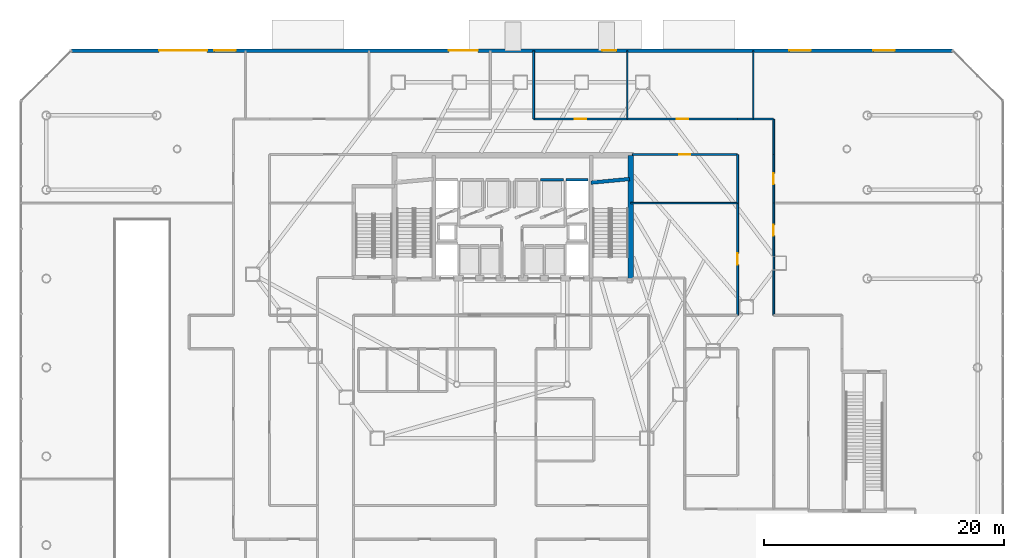
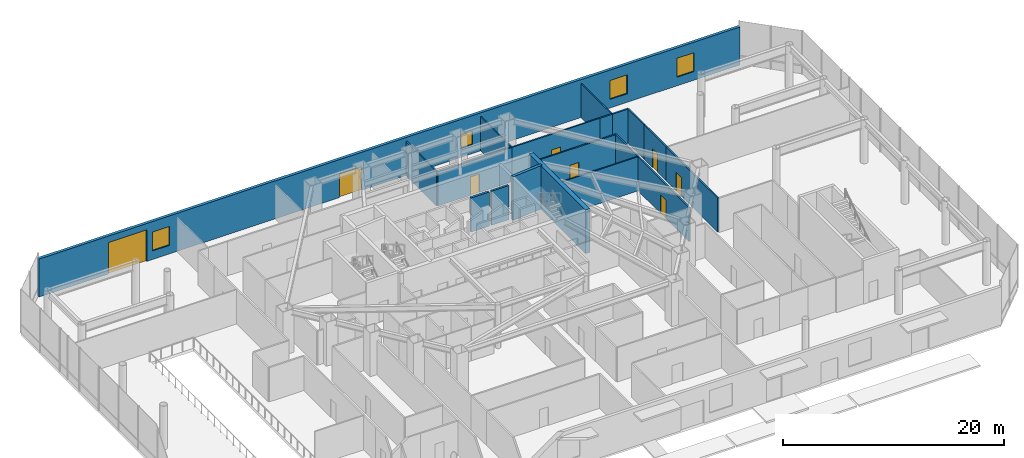
# One storey, part 26 of 31: 19 walls, 8 doors, 4 windows, 12 openings.
"""IFC4 building model written with IfcOpenShell, lengths in metres."""

from ifc_helpers import new_model, si_unit, direction, frame, frame_2d, origin, place, context, subcontext, project, spatial, rectangle, extrude, material, layer, layer_set, type_object, element, fill, save


model = new_model("IFC4")

# Units and contexts
model_context = context("Model", 3, precision=1e-05, world=origin(), true_north=direction((0.0, 1.0)))
body_context = subcontext(model_context, "Body", "Model", "MODEL_VIEW")
ifc_project = project(units=[si_unit("LENGTHUNIT", "METRE"), si_unit("AREAUNIT", "SQUARE_METRE"), si_unit("VOLUMEUNIT", "CUBIC_METRE"), si_unit("PLANEANGLEUNIT", "RADIAN"), si_unit("MASSUNIT", "GRAM", prefix="KILO")], contexts=[model_context])

# Site, building, storey
site_placement = place(None, origin())
site = spatial("IfcSite", under=ifc_project, at=site_placement, CompositionType="ELEMENT")
building_placement = place(site_placement, origin())
building = spatial("IfcBuilding", under=site, at=building_placement, Name="Zarrinselat Tower", CompositionType="ELEMENT")
storey_placement = place(building_placement, origin())
storey = spatial("IfcBuildingStorey", under=building, at=storey_placement, Name="L00", CompositionType="ELEMENT", Elevation=0.0)

# Wall, openings, doors, windows
ifc_material_1 = material(Name="Honed Cream Travertine Stone", Category="masonry")
ifc_layer_1 = layer(ifc_material_1, 0.300048828125)
ifc_layer_set_1 = layer_set([ifc_layer_1], Name="Honed Cream Travertine Stone")
wall_type_1 = type_object("IfcWallType", Name="WAL-EXT-STONE-300", PredefinedType="STANDARD", material=ifc_layer_set_1)
wall_1_placement = place(storey_placement, frame((1.699951171875, 52.199951171875, 0.0), z_axis=(0.0, 0.0, 1.0), x_axis=(1.0, 0.0, 0.0)))
wall_1 = element("IfcWall", 1, at=wall_1_placement, inside=storey, type_object=wall_type_1, Name="L00 North Travertine Facade Wall", PredefinedType="STANDARD", context=body_context, shape_type="SweptSolid", body=[
    extrude(rectangle(XDim=73.400146484375, YDim=0.300048828125, at=frame_2d((36.7001953125, 0.0))), origin(), (0.0, 0.0, 1.0), 4.205078125),
])
opening_1_placement = place(wall_1_placement, frame((7.300048828125, 0.0, 0.0)))
opening_1 = element("IfcOpeningElement", 2, at=opening_1_placement, cuts=wall_1, Name="Opening VG-02", PredefinedType="OPENING", context=body_context, shape_type="SweptSolid", body=[
    extrude(rectangle(XDim=4.0, YDim=3.5, at=frame_2d((2.0, 1.75))), frame((0.0, 0.159912109375, 0.0), z_axis=(0.0, -1.0, 0.0), x_axis=(1.0, 0.0, 0.0)), (0.0, 0.0, 1.0), 0.320068359375),
])
opening_2_placement = place(wall_1_placement, frame((31.449951171875, 0.0, 0.0)))
opening_2 = element("IfcOpeningElement", 3, at=opening_2_placement, cuts=wall_1, Name="Opening ED-01", PredefinedType="OPENING", context=body_context, shape_type="SweptSolid", body=[
    extrude(rectangle(XDim=2.39990234375, YDim=2.60009765625, at=frame_2d((1.199951171875, 1.300048828125))), frame((0.0, 0.159912109375, 0.0), z_axis=(0.0, -1.0, 0.0), x_axis=(1.0, 0.0, 0.0)), (0.0, 0.0, 1.0), 0.320068359375),
])
opening_3_placement = place(wall_1_placement, frame((44.199951171875, 0.0, 1.0)))
opening_3 = element("IfcOpeningElement", 4, at=opening_3_placement, cuts=wall_1, Name="Opening WN-6", PredefinedType="OPENING", context=body_context, shape_type="SweptSolid", body=[
    extrude(rectangle(XDim=1.199951171875, YDim=1.5, at=frame_2d((0.60009765625, 0.75))), frame((0.0, 0.159912109375, 0.0), z_axis=(0.0, -1.0, 0.0), x_axis=(1.0, 0.0, 0.0)), (0.0, 0.0, 1.0), 0.320068359375),
])
opening_4_placement = place(wall_1_placement, frame((11.89990234375, 0.0, 0.949951171875)))
opening_4 = element("IfcOpeningElement", 5, at=opening_4_placement, cuts=wall_1, Name="Opening WN-2", PredefinedType="OPENING", context=body_context, shape_type="SweptSolid", body=[
    extrude(rectangle(XDim=1.800048828125, YDim=2.10009765625, at=frame_2d((0.89990234375, 1.050048828125))), frame((0.0, 0.159912109375, 0.0), z_axis=(0.0, -1.0, 0.0), x_axis=(1.0, 0.0, 0.0)), (0.0, 0.0, 1.0), 0.320068359375),
])
opening_5_placement = place(wall_1_placement, frame((59.800048828125, 0.0, 0.949951171875)))
opening_5 = element("IfcOpeningElement", 6, at=opening_5_placement, cuts=wall_1, Name="Opening WN-2", PredefinedType="OPENING", context=body_context, shape_type="SweptSolid", body=[
    extrude(rectangle(XDim=1.800048828125, YDim=2.10009765625, at=frame_2d((0.89990234375, 1.050048828125))), frame((0.0, 0.159912109375, 0.0), z_axis=(0.0, -1.0, 0.0), x_axis=(1.0, 0.0, 0.0)), (0.0, 0.0, 1.0), 0.320068359375),
])
opening_6_placement = place(wall_1_placement, frame((66.800048828125, 0.0, 0.949951171875)))
opening_6 = element("IfcOpeningElement", 7, at=opening_6_placement, cuts=wall_1, Name="Opening WN-2", PredefinedType="OPENING", context=body_context, shape_type="SweptSolid", body=[
    extrude(rectangle(XDim=1.800048828125, YDim=2.10009765625, at=frame_2d((0.89990234375, 1.050048828125))), frame((0.0, 0.159912109375, 0.0), z_axis=(0.0, -1.0, 0.0), x_axis=(1.0, 0.0, 0.0)), (0.0, 0.0, 1.0), 0.320068359375),
])
ifc_material_2 = material(Name="Double Low-E Laminated Solar Glass", Category="glass")
door_type_1 = type_object("IfcDoorType", Name="DR-EXT-MAIN-2400", OperationType="NOTDEFINED", PredefinedType="DOOR", material=ifc_material_2)
door_1_placement = place(opening_2_placement, origin())
door_1 = element("IfcDoor", 8, at=door_1_placement, inside=storey, type_object=door_type_1, Name="North Concourse Entrance Door", OperationType="DOUBLE_DOOR_SINGLE_SWING", OverallHeight=2.60009765625, OverallWidth=2.39990234375, PredefinedType="DOOR", context=body_context, shape_type="SweptSolid", body=[
    extrude(rectangle(XDim=2.39990234375, YDim=2.60009765625, at=frame_2d((1.199951171875, 1.300048828125))), frame((0.0, 0.02490234375, 0.0), z_axis=(0.0, -1.0, 0.0), x_axis=(1.0, 0.0, 0.0)), (0.0, 0.0, 1.0), 0.050048828125),
])
fill(opening_2, door_1)
ifc_material_3 = material(Name="Extruded Aluminium Alloy EN AW-6063 T6", Category="aluminium")
door_type_2 = type_object("IfcDoorType", Name="DR-GATE-DOCK-4000", OperationType="NOTDEFINED", PredefinedType="GATE", material=ifc_material_3)
door_2_placement = place(opening_1_placement, origin())
door_2 = element("IfcDoor", 9, at=door_2_placement, inside=storey, type_object=door_type_2, Name="Loading Bay Goods Roller Gate VG-02", OperationType="ROLLINGUP", OverallHeight=3.5, OverallWidth=4.0, PredefinedType="GATE", context=body_context, shape_type="SweptSolid", body=[
    extrude(rectangle(XDim=4.0, YDim=3.5, at=frame_2d((2.0, 1.75))), frame((0.0, 0.02490234375, 0.0), z_axis=(0.0, -1.0, 0.0), x_axis=(1.0, 0.0, 0.0)), (0.0, 0.0, 1.0), 0.050048828125),
])
fill(opening_1, door_2)
ifc_material_4 = material(Name="Double Low-E Laminated Solar Glass", Category="glass")
window_type_1 = type_object("IfcWindowType", Name="WIN-FCR-1200", PartitioningType="SINGLE_PANEL", PredefinedType="WINDOW", material=ifc_material_4)
window_1_placement = place(opening_3_placement, origin())
window_1 = element("IfcWindow", 10, at=window_1_placement, inside=storey, type_object=window_type_1, Name="L00 Fire Command Room Observation Window", OverallHeight=1.5, OverallWidth=1.199951171875, PartitioningType="SINGLE_PANEL", PredefinedType="WINDOW", context=body_context, shape_type="SweptSolid", body=[
    extrude(rectangle(XDim=1.199951171875, YDim=1.5, at=frame_2d((0.60009765625, 0.75))), frame((0.0, 0.030029296875, 0.0), z_axis=(0.0, -1.0, 0.0), x_axis=(1.0, 0.0, 0.0)), (0.0, 0.0, 1.0), 0.06005859375),
])
fill(opening_3, window_1)
ifc_material_5 = material(Name="Double Low-E Laminated Solar Glass", Category="glass")
window_type_2 = type_object("IfcWindowType", Name="WIN-GALLERY-1800", PartitioningType="SINGLE_PANEL", PredefinedType="WINDOW", material=ifc_material_5)
window_2_placement = place(opening_4_placement, origin())
window_2 = element("IfcWindow", 11, at=window_2_placement, inside=storey, type_object=window_type_2, Name="L00 North Gallery Window N1", OverallHeight=2.10009765625, OverallWidth=1.800048828125, PartitioningType="SINGLE_PANEL", PredefinedType="WINDOW", context=body_context, shape_type="SweptSolid", body=[
    extrude(rectangle(XDim=1.800048828125, YDim=2.10009765625, at=frame_2d((0.89990234375, 1.050048828125))), frame((0.0, 0.030029296875, 0.0), z_axis=(0.0, -1.0, 0.0), x_axis=(1.0, 0.0, 0.0)), (0.0, 0.0, 1.0), 0.06005859375),
])
fill(opening_4, window_2)
window_3_placement = place(opening_5_placement, origin())
window_3 = element("IfcWindow", 12, at=window_3_placement, inside=storey, type_object=window_type_2, Name="L00 North Gallery Window N2", OverallHeight=2.10009765625, OverallWidth=1.800048828125, PartitioningType="SINGLE_PANEL", PredefinedType="WINDOW", context=body_context, shape_type="SweptSolid", body=[
    extrude(rectangle(XDim=1.800048828125, YDim=2.10009765625, at=frame_2d((0.89990234375, 1.050048828125))), frame((0.0, 0.030029296875, 0.0), z_axis=(0.0, -1.0, 0.0), x_axis=(1.0, 0.0, 0.0)), (0.0, 0.0, 1.0), 0.06005859375),
])
fill(opening_5, window_3)
window_4_placement = place(opening_6_placement, origin())
window_4 = element("IfcWindow", 13, at=window_4_placement, inside=storey, type_object=window_type_2, Name="L00 North Gallery Window N3", OverallHeight=2.10009765625, OverallWidth=1.800048828125, PartitioningType="SINGLE_PANEL", PredefinedType="WINDOW", context=body_context, shape_type="SweptSolid", body=[
    extrude(rectangle(XDim=1.800048828125, YDim=2.10009765625, at=frame_2d((0.89990234375, 1.050048828125))), frame((0.0, 0.030029296875, 0.0), z_axis=(0.0, -1.0, 0.0), x_axis=(1.0, 0.0, 0.0)), (0.0, 0.0, 1.0), 0.06005859375),
])
fill(opening_6, window_4)

# Wall, opening, door
ifc_material_6 = material(Name="Fire-Rated Gypsum Board Partition", Category="gypsum")
ifc_layer_2 = layer(ifc_material_6, 0.14990234375)
ifc_layer_set_2 = layer_set([ifc_layer_2], Name="Fire-Rated Gypsum Board Partition")
wall_type_2 = type_object("IfcWallType", Name="WAL-PART-EI60", PredefinedType="PARTITIONING", material=ifc_layer_set_2)
wall_2_placement = place(storey_placement, frame((60.199951171875, 30.169921875, 0.0), z_axis=(0.0, 0.0, 1.0), x_axis=(0.0, 1.0, 0.0)))
wall_2 = element("IfcWall", 14, at=wall_2_placement, inside=storey, type_object=wall_type_2, Name="L00 Partition Wall 42", PredefinedType="PARTITIONING", context=body_context, shape_type="SweptSolid", body=[
    extrude(rectangle(XDim=9.3251953125, YDim=0.14990234375, at=frame_2d((4.66259765625, 0.0))), origin(), (0.0, 0.0, 1.0), 3.777099609375),
])
opening_7_placement = place(wall_2_placement, frame((6.592529296875, 0.0, 0.0)))
opening_7 = element("IfcOpeningElement", 15, at=opening_7_placement, cuts=wall_2, Name="Opening ID-04", PredefinedType="OPENING", context=body_context, shape_type="SweptSolid", body=[
    extrude(rectangle(XDim=0.93994140625, YDim=2.050048828125, at=frame_2d((0.469970703125, 1.02490234375))), frame((0.0, 0.0849609375, 0.0), z_axis=(0.0, -1.0, 0.0), x_axis=(1.0, 0.0, 0.0)), (0.0, 0.0, 1.0), 0.169921875),
])
ifc_material_7 = material(Name="Fire-Rated Gypsum Board Partition")
door_type_3 = type_object("IfcDoorType", Name="DR-INT-FD30-ENT", OperationType="NOTDEFINED", PredefinedType="DOOR", material=ifc_material_7)
door_3_placement = place(opening_7_placement, origin())
door_3 = element("IfcDoor", 16, at=door_3_placement, inside=storey, type_object=door_type_3, Name="L00 Interior Door P42", OperationType="SINGLE_SWING_RIGHT", OverallHeight=2.050048828125, OverallWidth=0.93994140625, PredefinedType="DOOR", context=body_context, shape_type="SweptSolid", body=[
    extrude(rectangle(XDim=0.93994140625, YDim=2.050048828125, at=frame_2d((0.469970703125, 1.02490234375))), frame((0.0, 0.02490234375, 0.0), z_axis=(0.0, -1.0, 0.0), x_axis=(1.0, 0.0, 0.0)), (0.0, 0.0, 1.0), 0.050048828125),
])
fill(opening_7, door_3)

# Walls
wall_3_placement = place(storey_placement, frame((58.5048828125, 46.5, 0.0), z_axis=(0.0, 0.0, 1.0), x_axis=(1.0, 0.0, 0.0)))
element("IfcWall", 17, at=wall_3_placement, inside=storey, type_object=wall_type_2, Name="L00 Partition Wall 46", PredefinedType="PARTITIONING", context=body_context, shape_type="SweptSolid", body=[
    extrude(rectangle(XDim=1.675048828125, YDim=0.14990234375, at=frame_2d((0.83740234375, 0.0))), origin(), (0.0, 0.0, 1.0), 3.777099609375),
])
wall_4_placement = place(storey_placement, frame((60.199951171875, 43.550048828125, 0.0), z_axis=(0.0, 0.0, 1.0), x_axis=(0.0, 1.0, 0.0)))
element("IfcWall", 18, at=wall_4_placement, inside=storey, type_object=wall_type_2, Name="L00 Partition Wall 47", PredefinedType="PARTITIONING", context=body_context, shape_type="SweptSolid", body=[
    extrude(rectangle(XDim=2.929931640625, YDim=0.14990234375, at=frame_2d((1.46484375, 0.0))), origin(), (0.0, 0.0, 1.0), 3.777099609375),
])

# Wall, opening, door
wall_5_placement = place(storey_placement, frame((60.199951171875, 39.5048828125, 0.0), z_axis=(0.0, 0.0, 1.0), x_axis=(0.0, 1.0, 0.0)))
wall_5 = element("IfcWall", 19, at=wall_5_placement, inside=storey, type_object=wall_type_2, Name="L00 Partition Wall 48", PredefinedType="PARTITIONING", context=body_context, shape_type="SweptSolid", body=[
    extrude(rectangle(XDim=4.045166015625, YDim=0.14990234375, at=frame_2d((2.0224609375, 0.0))), origin(), (0.0, 0.0, 1.0), 3.777099609375),
])
opening_8_placement = place(wall_5_placement, frame((1.552490234375, 0.0, 0.0)))
opening_8 = element("IfcOpeningElement", 20, at=opening_8_placement, cuts=wall_5, Name="Opening ID-04", PredefinedType="OPENING", context=body_context, shape_type="SweptSolid", body=[
    extrude(rectangle(XDim=0.93994140625, YDim=2.050048828125, at=frame_2d((0.469970703125, 1.02490234375))), frame((0.0, 0.0849609375, 0.0), z_axis=(0.0, -1.0, 0.0), x_axis=(1.0, 0.0, 0.0)), (0.0, 0.0, 1.0), 0.169921875),
])
door_4_placement = place(opening_8_placement, origin())
door_4 = element("IfcDoor", 21, at=door_4_placement, inside=storey, type_object=door_type_3, Name="L00 Interior Door P48", OperationType="SINGLE_SWING_LEFT", OverallHeight=2.050048828125, OverallWidth=0.93994140625, PredefinedType="DOOR", context=body_context, shape_type="SweptSolid", body=[
    extrude(rectangle(XDim=0.93994140625, YDim=2.050048828125, at=frame_2d((0.469970703125, 1.02490234375))), frame((0.0, 0.02490234375, 0.0), z_axis=(0.0, -1.0, 0.0), x_axis=(1.0, 0.0, 0.0)), (0.0, 0.0, 1.0), 0.050048828125),
])
fill(opening_8, door_4)

# Wall
wall_6_placement = place(storey_placement, frame((40.199951171875, 46.52001953125, 0.0), z_axis=(0.0, 0.0, 1.0), x_axis=(0.0, 1.0, 0.0)))
element("IfcWall", 22, at=wall_6_placement, inside=storey, type_object=wall_type_2, Name="L00 Partition Wall 49", PredefinedType="PARTITIONING", context=body_context, shape_type="SweptSolid", body=[
    extrude(rectangle(XDim=5.6650390625, YDim=0.14990234375, at=frame_2d((2.83251953125, 0.0))), origin(), (0.0, 0.0, 1.0), 3.777099609375),
])

# Wall, opening, door
wall_7_placement = place(storey_placement, frame((40.219970703125, 46.5, 0.0), z_axis=(0.0, 0.0, 1.0), x_axis=(1.0, 0.0, 0.0)))
wall_7 = element("IfcWall", 23, at=wall_7_placement, inside=storey, type_object=wall_type_2, Name="L00 Partition Wall 50", PredefinedType="PARTITIONING", context=body_context, shape_type="SweptSolid", body=[
    extrude(rectangle(XDim=7.775146484375, YDim=0.14990234375, at=frame_2d((3.8876953125, 0.0))), origin(), (0.0, 0.0, 1.0), 3.777099609375),
])
opening_9_placement = place(wall_7_placement, frame((3.41748046875, 0.0, 0.0)))
opening_9 = element("IfcOpeningElement", 24, at=opening_9_placement, cuts=wall_7, Name="Opening ID-04", PredefinedType="OPENING", context=body_context, shape_type="SweptSolid", body=[
    extrude(rectangle(XDim=0.93994140625, YDim=2.050048828125, at=frame_2d((0.469970703125, 1.02490234375))), frame((0.0, 0.0849609375, 0.0), z_axis=(0.0, -1.0, 0.0), x_axis=(1.0, 0.0, 0.0)), (0.0, 0.0, 1.0), 0.169921875),
])
door_5_placement = place(opening_9_placement, origin())
door_5 = element("IfcDoor", 25, at=door_5_placement, inside=storey, type_object=door_type_3, Name="L00 Interior Door P50", OperationType="SINGLE_SWING_RIGHT", OverallHeight=2.050048828125, OverallWidth=0.93994140625, PredefinedType="DOOR", context=body_context, shape_type="SweptSolid", body=[
    extrude(rectangle(XDim=0.93994140625, YDim=2.050048828125, at=frame_2d((0.469970703125, 1.02490234375))), frame((0.0, 0.02490234375, 0.0), z_axis=(0.0, -1.0, 0.0), x_axis=(1.0, 0.0, 0.0)), (0.0, 0.0, 1.0), 0.050048828125),
])
fill(opening_9, door_5)

wall_8_placement = place(storey_placement, frame((48.0048828125, 46.5, 0.0), z_axis=(0.0, 0.0, 1.0), x_axis=(1.0, 0.0, 0.0)))
wall_8 = element("IfcWall", 26, at=wall_8_placement, inside=storey, type_object=wall_type_2, Name="L00 Partition Wall 51", PredefinedType="PARTITIONING", context=body_context, shape_type="SweptSolid", body=[
    extrude(rectangle(XDim=9.195068359375, YDim=0.14990234375, at=frame_2d((4.59765625, 0.0))), origin(), (0.0, 0.0, 1.0), 3.777099609375),
])
opening_10_placement = place(wall_8_placement, frame((4.12744140625, 0.0, 0.0)))
opening_10 = element("IfcOpeningElement", 27, at=opening_10_placement, cuts=wall_8, Name="Opening ID-04", PredefinedType="OPENING", context=body_context, shape_type="SweptSolid", body=[
    extrude(rectangle(XDim=0.93994140625, YDim=2.050048828125, at=frame_2d((0.469970703125, 1.02490234375))), frame((0.0, 0.0849609375, 0.0), z_axis=(0.0, -1.0, 0.0), x_axis=(1.0, 0.0, 0.0)), (0.0, 0.0, 1.0), 0.169921875),
])
door_6_placement = place(opening_10_placement, origin())
door_6 = element("IfcDoor", 28, at=door_6_placement, inside=storey, type_object=door_type_3, Name="L00 Interior Door P51", OperationType="SINGLE_SWING_LEFT", OverallHeight=2.050048828125, OverallWidth=0.93994140625, PredefinedType="DOOR", context=body_context, shape_type="SweptSolid", body=[
    extrude(rectangle(XDim=0.93994140625, YDim=2.050048828125, at=frame_2d((0.469970703125, 1.02490234375))), frame((0.0, 0.02490234375, 0.0), z_axis=(0.0, -1.0, 0.0), x_axis=(1.0, 0.0, 0.0)), (0.0, 0.0, 1.0), 0.050048828125),
])
fill(opening_10, door_6)

# Wall
wall_9_placement = place(storey_placement, frame((57.199951171875, 46.5, 0.0), z_axis=(0.0, 0.0, 1.0), x_axis=(1.0, 0.0, 0.0)))
element("IfcWall", 29, at=wall_9_placement, inside=storey, type_object=wall_type_2, Name="L00 Partition Wall 52", PredefinedType="PARTITIONING", context=body_context, shape_type="SweptSolid", body=[
    extrude(rectangle(XDim=1.295166015625, YDim=0.14990234375, at=frame_2d((0.6474609375, 0.0))), origin(), (0.0, 0.0, 1.0), 3.777099609375),
])

# Wall, opening, door
wall_10_placement = place(storey_placement, frame((57.199951171875, 30.169921875, 0.0), z_axis=(0.0, 0.0, 1.0), x_axis=(0.0, 1.0, 0.0)))
wall_10 = element("IfcWall", 30, at=wall_10_placement, inside=storey, type_object=wall_type_2, Name="L00 Partition Wall 57", PredefinedType="PARTITIONING", context=body_context, shape_type="SweptSolid", body=[
    extrude(rectangle(XDim=9.3251953125, YDim=0.14990234375, at=frame_2d((4.66259765625, 0.0))), origin(), (0.0, 0.0, 1.0), 3.777099609375),
])
opening_11_placement = place(wall_10_placement, frame((4.1923828125, 0.0, 0.0)))
opening_11 = element("IfcOpeningElement", 31, at=opening_11_placement, cuts=wall_10, Name="Opening ID-04", PredefinedType="OPENING", context=body_context, shape_type="SweptSolid", body=[
    extrude(rectangle(XDim=0.93994140625, YDim=2.050048828125, at=frame_2d((0.469970703125, 1.02490234375))), frame((0.0, 0.0849609375, 0.0), z_axis=(0.0, -1.0, 0.0), x_axis=(1.0, 0.0, 0.0)), (0.0, 0.0, 1.0), 0.169921875),
])
door_7_placement = place(opening_11_placement, origin())
door_7 = element("IfcDoor", 32, at=door_7_placement, inside=storey, type_object=door_type_3, Name="L00 Interior Door P57", OperationType="SINGLE_SWING_LEFT", OverallHeight=2.050048828125, OverallWidth=0.93994140625, PredefinedType="DOOR", context=body_context, shape_type="SweptSolid", body=[
    extrude(rectangle(XDim=0.93994140625, YDim=2.050048828125, at=frame_2d((0.469970703125, 1.02490234375))), frame((0.0, 0.02490234375, 0.0), z_axis=(0.0, -1.0, 0.0), x_axis=(1.0, 0.0, 0.0)), (0.0, 0.0, 1.0), 0.050048828125),
])
fill(opening_11, door_7)

# Wall
wall_11_placement = place(storey_placement, frame((57.199951171875, 39.5048828125, 0.0), z_axis=(0.0, 0.0, 1.0), x_axis=(0.0, 1.0, 0.0)))
element("IfcWall", 33, at=wall_11_placement, inside=storey, type_object=wall_type_2, Name="L00 Partition Wall 58", PredefinedType="PARTITIONING", context=body_context, shape_type="SweptSolid", body=[
    extrude(rectangle(XDim=4.025146484375, YDim=0.14990234375, at=frame_2d((2.0126953125, 0.0))), origin(), (0.0, 0.0, 1.0), 3.777099609375),
])

# Wall, opening, door
wall_12_placement = place(storey_placement, frame((48.419921875, 43.550048828125, 0.0), z_axis=(0.0, 0.0, 1.0), x_axis=(1.0, 0.0, 0.0)))
wall_12 = element("IfcWall", 34, at=wall_12_placement, inside=storey, type_object=wall_type_2, Name="L00 Partition Wall 59", PredefinedType="PARTITIONING", context=body_context, shape_type="SweptSolid", body=[
    extrude(rectangle(XDim=8.760009765625, YDim=0.14990234375, at=frame_2d((4.3798828125, 0.0))), origin(), (0.0, 0.0, 1.0), 3.777099609375),
])
opening_12_placement = place(wall_12_placement, frame((3.909912109375, 0.0, 0.0)))
opening_12 = element("IfcOpeningElement", 35, at=opening_12_placement, cuts=wall_12, Name="Opening ID-04", PredefinedType="OPENING", context=body_context, shape_type="SweptSolid", body=[
    extrude(rectangle(XDim=0.93994140625, YDim=2.050048828125, at=frame_2d((0.469970703125, 1.02490234375))), frame((0.0, 0.0849609375, 0.0), z_axis=(0.0, -1.0, 0.0), x_axis=(1.0, 0.0, 0.0)), (0.0, 0.0, 1.0), 0.169921875),
])
door_8_placement = place(opening_12_placement, origin())
door_8 = element("IfcDoor", 36, at=door_8_placement, inside=storey, type_object=door_type_3, Name="L00 Interior Door P59", OperationType="SINGLE_SWING_RIGHT", OverallHeight=2.050048828125, OverallWidth=0.93994140625, PredefinedType="DOOR", context=body_context, shape_type="SweptSolid", body=[
    extrude(rectangle(XDim=0.93994140625, YDim=2.050048828125, at=frame_2d((0.469970703125, 1.02490234375))), frame((0.0, 0.02490234375, 0.0), z_axis=(0.0, -1.0, 0.0), x_axis=(1.0, 0.0, 0.0)), (0.0, 0.0, 1.0), 0.050048828125),
])
fill(opening_12, door_8)

# Walls
ifc_material_8 = material(Name="Fire-Rated Gypsum Board Partition", Category="gypsum")
ifc_layer_3 = layer(ifc_material_8, 0.1201171875)
ifc_layer_set_3 = layer_set([ifc_layer_3], Name="Fire-Rated Gypsum Board Partition")
wall_type_3 = type_object("IfcWallType", Name="WAL-PART-STD", PredefinedType="PARTITIONING", material=ifc_layer_set_3)
for number, where, z_axis, x_axis, name in (
    (37, (58.5, 46.52001953125, 0.0), (0.0, 0.0, 1.0), (0.0, 1.0, 0.0), "L00 Partition Wall 113"),
    (38, (48.0, 46.52001953125, 0.0), (0.0, 0.0, 1.0), (0.0, 1.0, 0.0), "L00 Partition Wall 114"),
):
    element("IfcWall", number, at=place(storey_placement, frame(where, z_axis=z_axis, x_axis=x_axis)), inside=storey, type_object=wall_type_3, Name=name, PredefinedType="PARTITIONING", context=body_context, shape_type="SweptSolid", body=[
        extrude(rectangle(XDim=5.6650390625, YDim=0.1201171875, at=frame_2d((2.83251953125, 0.0))), origin(), (0.0, 0.0, 1.0), 3.777099609375),
    ])
wall_13_placement = place(storey_placement, frame((48.27490234375, 39.5, 0.0), z_axis=(0.0, 0.0, 1.0), x_axis=(1.0, 0.0, 0.0)))
element("IfcWall", 39, at=wall_13_placement, inside=storey, type_object=wall_type_3, Name="L00 Partition Wall 115", PredefinedType="PARTITIONING", context=body_context, shape_type="SweptSolid", body=[
    extrude(rectangle(XDim=8.905029296875, YDim=0.1201171875, at=frame_2d((4.45263671875, 0.0))), origin(), (0.0, 0.0, 1.0), 3.777099609375),
])
ifc_material_9 = material(Name="Concrete C40/50", Category="concrete")
ifc_layer_4 = layer(ifc_material_9, 0.2099609375)
ifc_layer_set_4 = layer_set([ifc_layer_4], Name="Concrete C40/50")
wall_type_4 = type_object("IfcWallType", Name="WAL-SHAFT-210", PredefinedType="SOLIDWALL", material=ifc_layer_set_4)
wall_14_placement = place(storey_placement, frame((42.919921875, 41.455078125, 0.0), z_axis=(0.0, 0.0, 1.0), x_axis=(1.0, 0.0, 0.0)))
element("IfcWall", 40, at=wall_14_placement, inside=storey, type_object=wall_type_4, Name="L00 Lift BSL2 Rear Shaft Wall", PredefinedType="SOLIDWALL", context=body_context, shape_type="SweptSolid", body=[
    extrude(rectangle(XDim=1.800048828125, YDim=0.2099609375, at=frame_2d((0.89990234375, 0.0))), origin(), (0.0, 0.0, 1.0), 3.7919921875),
])
wall_15_placement = place(storey_placement, frame((40.77001953125, 41.455078125, 0.0), z_axis=(0.0, 0.0, 1.0), x_axis=(1.0, 0.0, 0.0)))
element("IfcWall", 41, at=wall_15_placement, inside=storey, type_object=wall_type_4, Name="L00 Lift PL4 Rear Shaft Wall", PredefinedType="SOLIDWALL", context=body_context, shape_type="SweptSolid", body=[
    extrude(rectangle(XDim=1.909912109375, YDim=0.2099609375, at=frame_2d((0.955078125, 0.0))), origin(), (0.0, 0.0, 1.0), 3.7919921875),
])
ifc_material_10 = material(Name="Concrete C40/50", Category="concrete")
ifc_layer_5 = layer(ifc_material_10, 0.300048828125)
ifc_layer_set_5 = layer_set([ifc_layer_5], Name="Concrete C40/50")
wall_type_5 = type_object("IfcWallType", Name="WAL-SHEAR-300", PredefinedType="SHEAR", material=ifc_layer_set_5)
wall_16_placement = place(storey_placement, frame((44.97998046875, 41.199951171875, 0.0), z_axis=(0.0, 0.0, 1.0), x_axis=(0.995686468965, 0.09278176286, 0.0)))
element("IfcWall", 42, at=wall_16_placement, inside=storey, type_object=wall_type_5, Name="L00 Stair 2 North Shaft Wall", PredefinedType="SHEAR", context=body_context, shape_type="SweptSolid", body=[
    extrude(rectangle(XDim=3.23388671875, YDim=0.300048828125, at=frame_2d((1.616943359375, 0.0))), origin(), (0.0, 0.0, 1.0), 4.820068359375),
])
ifc_material_11 = material(Name="Concrete C60/75", Category="concrete")
ifc_layer_6 = layer(ifc_material_11, 0.449951171875)
ifc_layer_set_6 = layer_set([ifc_layer_6], Name="Concrete C60/75")
wall_type_6 = type_object("IfcWallType", Name="WAL-SHEAR-450", PredefinedType="SHEAR", material=ifc_layer_set_6)
wall_17_placement = place(storey_placement, frame((48.284912109375, 33.22509765625, 0.0), z_axis=(0.0, 0.0, 1.0), x_axis=(0.0, 1.0, 0.0)))
element("IfcWall", 43, at=wall_17_placement, inside=storey, type_object=wall_type_6, Name="L00 Core Shear Wall E", PredefinedType="SHEAR", context=body_context, shape_type="SweptSolid", body=[
    extrude(rectangle(XDim=10.25, YDim=0.449951171875, at=frame_2d((5.125, 0.0))), origin(), (0.0, 0.0, 1.0), 4.820068359375),
])

save(model, "model.ifc")
